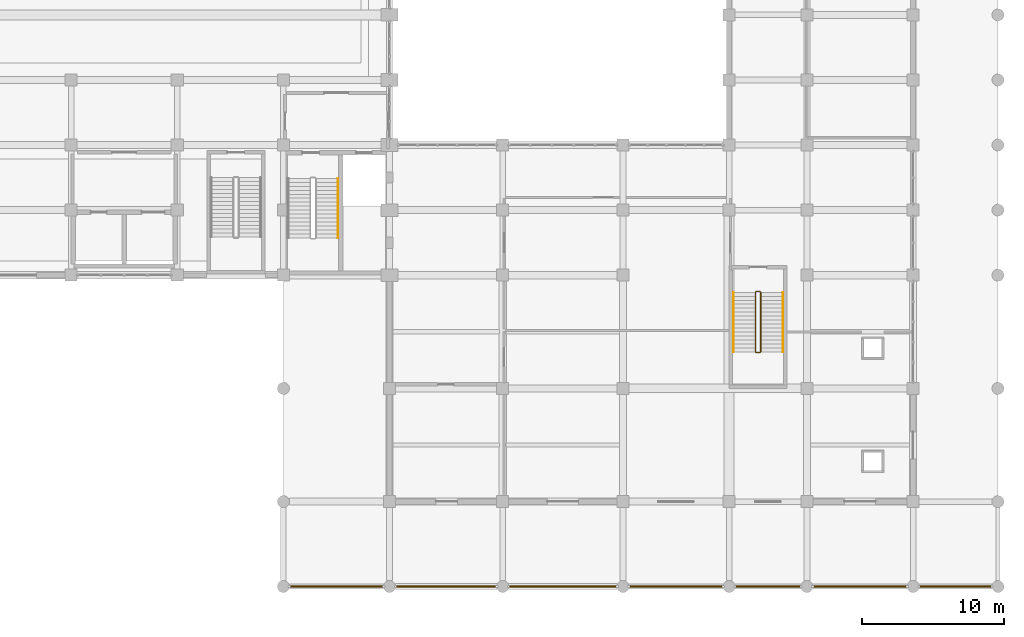
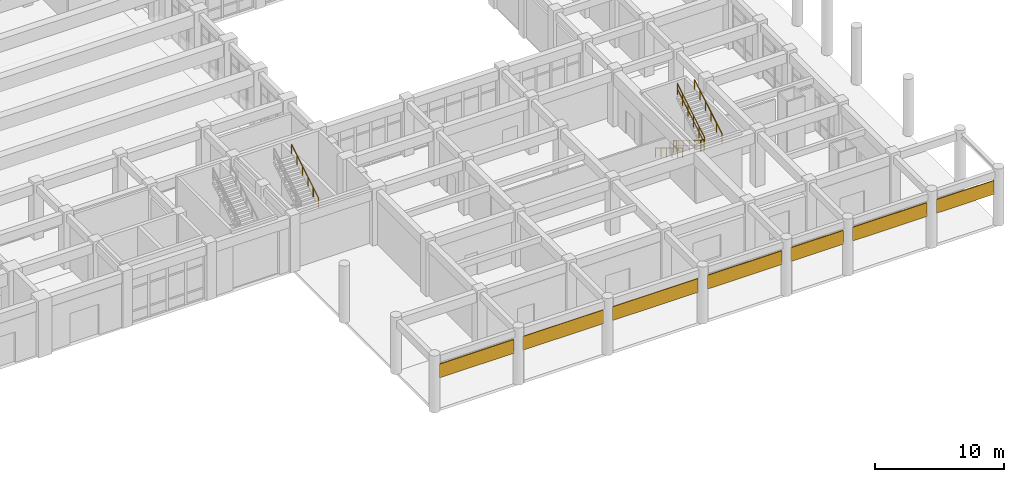
# One storey, part 82 of 84: 7 railings, 7 shading devices.
"""IFC4 building model written with IfcOpenShell, lengths in metres."""

from ifc_helpers import new_model, si_unit, direction, frame, origin, origin_2d, place, context, subcontext, project, spatial, rectangle, circle, extrude, material, layer, layer_set, type_object, element, save


model = new_model("IFC4")

# Units and contexts
model_context = context("Model", 3, precision=1e-05, world=origin(), true_north=direction((0.0, 1.0)))
body_context = subcontext(model_context, "Body", "Model", "MODEL_VIEW")
ifc_project = project(units=[si_unit("LENGTHUNIT", "METRE"), si_unit("AREAUNIT", "SQUARE_METRE"), si_unit("VOLUMEUNIT", "CUBIC_METRE"), si_unit("PLANEANGLEUNIT", "RADIAN"), si_unit("MASSUNIT", "GRAM", prefix="KILO")], contexts=[model_context])

# Site, building, storey
site_placement = place(None, origin())
site = spatial("IfcSite", under=ifc_project, at=site_placement, CompositionType="ELEMENT")
building_placement = place(site_placement, origin())
building = spatial("IfcBuilding", under=site, at=building_placement, Name="Muzn Square Opera House", CompositionType="ELEMENT")
storey_placement = place(building_placement, origin())
storey = spatial("IfcBuildingStorey", under=building, at=storey_placement, Name="L00", CompositionType="ELEMENT", Elevation=0.0)

# Shading devices
ifc_material_1 = material(Name="Architectural bronze mashrabiya", Category="metal")
ifc_layer = layer(ifc_material_1, 0.080078125, Name="Architectural bronze mashrabiya", Category="metal")
ifc_layer_set = layer_set([ifc_layer], Name="Architectural bronze mashrabiya")
shading_device_type = type_object("IfcShadingDeviceType", Name="Bronze Botanical Mashrabiya Screen", PredefinedType="JALOUSIE", material=ifc_layer_set)
shading_device_1_placement = place(storey_placement, frame((129.25, 0.0, 2.89990234375), z_axis=(0.0, 0.0, 1.0), x_axis=(1.0, 0.0, 0.0)))
element("IfcShadingDevice", 1, at=shading_device_1_placement, inside=storey, type_object=shading_device_type, Name="Bronze Botanical Mashrabiya Solar Screen SHD-L00-S08", PredefinedType="JALOUSIE", context=body_context, shape_type="SweptSolid", body=[
    extrude(rectangle(XDim=6.669921875, YDim=0.080078125, at=origin_2d()), origin(), (0.0, 0.0, 1.0), 1.300048828125),
])
shading_device_2_placement = place(storey_placement, frame((137.0, 0.0, 2.89990234375), z_axis=(0.0, 0.0, 1.0), x_axis=(1.0, 0.0, 0.0)))
element("IfcShadingDevice", 2, at=shading_device_2_placement, inside=storey, type_object=shading_device_type, Name="Bronze Botanical Mashrabiya Solar Screen SHD-L00-S09", PredefinedType="JALOUSIE", context=body_context, shape_type="SweptSolid", body=[
    extrude(rectangle(XDim=7.169921875, YDim=0.080078125, at=origin_2d()), origin(), (0.0, 0.0, 1.0), 1.300048828125),
])
shading_device_3_placement = place(storey_placement, frame((145.25, 0.0, 2.89990234375), z_axis=(0.0, 0.0, 1.0), x_axis=(1.0, 0.0, 0.0)))
element("IfcShadingDevice", 3, at=shading_device_3_placement, inside=storey, type_object=shading_device_type, Name="Bronze Botanical Mashrabiya Solar Screen SHD-L00-S10", PredefinedType="JALOUSIE", context=body_context, shape_type="SweptSolid", body=[
    extrude(rectangle(XDim=7.669921875, YDim=0.080078125, at=origin_2d()), origin(), (0.0, 0.0, 1.0), 1.300048828125),
])
shading_device_4_placement = place(storey_placement, frame((153.25, 0.0, 2.89990234375), z_axis=(0.0, 0.0, 1.0), x_axis=(1.0, 0.0, 0.0)))
element("IfcShadingDevice", 4, at=shading_device_4_placement, inside=storey, type_object=shading_device_type, Name="Bronze Botanical Mashrabiya Solar Screen SHD-L00-S11", PredefinedType="JALOUSIE", context=body_context, shape_type="SweptSolid", body=[
    extrude(rectangle(XDim=6.669921875, YDim=0.080078125, at=origin_2d()), origin(), (0.0, 0.0, 1.0), 1.300048828125),
])
shading_device_5_placement = place(storey_placement, frame((159.75, 0.0, 2.89990234375), z_axis=(0.0, 0.0, 1.0), x_axis=(1.0, 0.0, 0.0)))
element("IfcShadingDevice", 5, at=shading_device_5_placement, inside=storey, type_object=shading_device_type, Name="Bronze Botanical Mashrabiya Solar Screen SHD-L00-S12", PredefinedType="JALOUSIE", context=body_context, shape_type="SweptSolid", body=[
    extrude(rectangle(XDim=4.669921875, YDim=0.080078125, at=origin_2d()), origin(), (0.0, 0.0, 1.0), 1.300048828125),
])
shading_device_6_placement = place(storey_placement, frame((166.25, 0.0, 2.89990234375), z_axis=(0.0, 0.0, 1.0), x_axis=(1.0, 0.0, 0.0)))
element("IfcShadingDevice", 6, at=shading_device_6_placement, inside=storey, type_object=shading_device_type, Name="Bronze Botanical Mashrabiya Solar Screen SHD-L00-S13", PredefinedType="JALOUSIE", context=body_context, shape_type="SweptSolid", body=[
    extrude(rectangle(XDim=6.669921875, YDim=0.080078125, at=origin_2d()), origin(), (0.0, 0.0, 1.0), 1.300048828125),
])
shading_device_7_placement = place(storey_placement, frame((173.0, 0.0, 2.89990234375), z_axis=(0.0, 0.0, 1.0), x_axis=(1.0, 0.0, 0.0)))
element("IfcShadingDevice", 7, at=shading_device_7_placement, inside=storey, type_object=shading_device_type, Name="Bronze Botanical Mashrabiya Solar Screen SHD-L00-S14", PredefinedType="JALOUSIE", context=body_context, shape_type="SweptSolid", body=[
    extrude(rectangle(XDim=5.169921875, YDim=0.080078125, at=origin_2d()), origin(), (0.0, 0.0, 1.0), 1.300048828125),
])

# Railings
ifc_material_2 = material(Name="Brushed stainless steel", Category="metal")
railing_type_1 = type_object("IfcRailingType", Name="Stair Guard Railing 1120mm", PredefinedType="GUARDRAIL", material=ifc_material_2)
railing_1_placement = place(storey_placement, frame((158.860107421875, 20.7900390625, 0.168701171875)))
element("IfcRailing", 8, at=railing_1_placement, inside=storey, type_object=railing_type_1, Name="L00 ST-8 stair guard 1", PredefinedType="GUARDRAIL", context=body_context, shape_type="SweptSolid", body=[
    extrude(circle(Radius=0.02392578125, at=origin_2d()), frame((0.0, 0.0, 1.076171875), z_axis=(0.0, -0.856476492594, 0.516186030065), x_axis=(1.0, 0.0, 0.0)), (0.0, 0.0, 1.0), 4.90380859375),
    extrude(circle(Radius=0.02392578125, at=origin_2d()), frame((0.0, 0.0, 0.550048828125), z_axis=(0.0, -0.856476492594, 0.516186030065), x_axis=(1.0, 0.0, 0.0)), (0.0, 0.0, 1.0), 4.90380859375),
    extrude(circle(Radius=0.02099609375, at=origin_2d()), origin(), (0.0, 0.0, 1.0), 1.052001953125),
    extrude(circle(Radius=0.02099609375, at=origin_2d()), frame((0.0, -0.840087890625, 0.50634765625)), (0.0, 0.0, 1.0), 1.052001953125),
    extrude(circle(Radius=0.02099609375, at=origin_2d()), frame((0.0, -1.679931640625, 1.012451171875)), (0.0, 0.0, 1.0), 1.052001953125),
    extrude(circle(Radius=0.02099609375, at=origin_2d()), frame((0.0, -2.52001953125, 1.518798828125)), (0.0, 0.0, 1.0), 1.052001953125),
    extrude(circle(Radius=0.02099609375, at=origin_2d()), frame((0.0, -3.35986328125, 2.02490234375)), (0.0, 0.0, 1.0), 1.052001953125),
    extrude(circle(Radius=0.02099609375, at=origin_2d()), frame((0.0, -4.199951171875, 2.53125)), (0.0, 0.0, 1.0), 1.052001953125),
])
railing_2_placement = place(storey_placement, frame((158.909912109375, 16.5400390625, 2.699951171875)))
element("IfcRailing", 9, at=railing_2_placement, inside=storey, type_object=railing_type_1, Name="L00 ST-8 stair guard 2", PredefinedType="GUARDRAIL", context=body_context, shape_type="SweptSolid", body=[
    extrude(circle(Radius=0.02392578125, at=origin_2d()), frame((0.0, 0.0, 1.076171875), z_axis=(1.0, 0.0, 0.0), x_axis=(0.0, 1.0, 0.0)), (0.0, 0.0, 1.0), 0.280029296875),
    extrude(circle(Radius=0.02392578125, at=origin_2d()), frame((0.0, 0.0, 0.550048828125), z_axis=(1.0, 0.0, 0.0), x_axis=(0.0, 1.0, 0.0)), (0.0, 0.0, 1.0), 0.280029296875),
    extrude(circle(Radius=0.02099609375, at=origin_2d()), origin(), (0.0, 0.0, 1.0), 1.052001953125),
    extrude(circle(Radius=0.02099609375, at=origin_2d()), frame((0.280029296875, 0.0, 0.0)), (0.0, 0.0, 1.0), 1.052001953125),
])
railing_3_placement = place(storey_placement, frame((159.239990234375, 16.590087890625, 2.86865234375)))
element("IfcRailing", 10, at=railing_3_placement, inside=storey, type_object=railing_type_1, Name="L00 ST-8 stair guard 3", PredefinedType="GUARDRAIL", context=body_context, shape_type="SweptSolid", body=[
    extrude(circle(Radius=0.02392578125, at=origin_2d()), frame((0.0, 0.0, 1.076171875), z_axis=(0.0, 0.856476492594, 0.516186030065), x_axis=(-1.0, 0.0, 0.0)), (0.0, 0.0, 1.0), 4.90380859375),
    extrude(circle(Radius=0.02392578125, at=origin_2d()), frame((0.0, 0.0, 0.550048828125), z_axis=(0.0, 0.856476492594, 0.516186030065), x_axis=(-1.0, 0.0, 0.0)), (0.0, 0.0, 1.0), 4.90380859375),
    extrude(circle(Radius=0.02099609375, at=origin_2d()), origin(), (0.0, 0.0, 1.0), 1.052001953125),
    extrude(circle(Radius=0.02099609375, at=origin_2d()), frame((0.0, 0.840087890625, 0.50634765625)), (0.0, 0.0, 1.0), 1.052001953125),
    extrude(circle(Radius=0.02099609375, at=origin_2d()), frame((0.0, 1.679931640625, 1.012451171875)), (0.0, 0.0, 1.0), 1.052001953125),
    extrude(circle(Radius=0.02099609375, at=origin_2d()), frame((0.0, 2.52001953125, 1.518798828125)), (0.0, 0.0, 1.0), 1.052001953125),
    extrude(circle(Radius=0.02099609375, at=origin_2d()), frame((0.0, 3.35986328125, 2.02490234375)), (0.0, 0.0, 1.0), 1.052001953125),
    extrude(circle(Radius=0.02099609375, at=origin_2d()), frame((0.0, 4.199951171875, 2.53125)), (0.0, 0.0, 1.0), 1.052001953125),
])
railing_4_placement = place(storey_placement, frame((158.909912109375, 20.840087890625, 0.0)))
element("IfcRailing", 11, at=railing_4_placement, inside=storey, type_object=railing_type_1, Name="L00 ST-8 stair guard 4", PredefinedType="GUARDRAIL", context=body_context, shape_type="SweptSolid", body=[
    extrude(circle(Radius=0.02392578125, at=origin_2d()), frame((0.0, 0.0, 1.076171875), z_axis=(1.0, 0.0, 0.0), x_axis=(0.0, 1.0, 0.0)), (0.0, 0.0, 1.0), 0.280029296875),
    extrude(circle(Radius=0.02392578125, at=origin_2d()), frame((0.0, 0.0, 0.550048828125), z_axis=(1.0, 0.0, 0.0), x_axis=(0.0, 1.0, 0.0)), (0.0, 0.0, 1.0), 0.280029296875),
    extrude(circle(Radius=0.02099609375, at=origin_2d()), origin(), (0.0, 0.0, 1.0), 1.052001953125),
    extrude(circle(Radius=0.02099609375, at=origin_2d()), frame((0.280029296875, 0.0, 0.0)), (0.0, 0.0, 1.0), 1.052001953125),
])
railing_type_2 = type_object("IfcRailingType", Name="Stair Pitch Handrail 900mm", PredefinedType="HANDRAIL", material=ifc_material_2)
railing_5_placement = place(storey_placement, frame((129.35009765625, 24.639892578125, 2.86865234375)))
element("IfcRailing", 12, at=railing_5_placement, inside=storey, type_object=railing_type_2, Name="L00 ST-4 stair handrail 2", PredefinedType="HANDRAIL", context=body_context, shape_type="SweptSolid", body=[
    extrude(circle(Radius=0.02392578125, at=origin_2d()), frame((0.0, 0.0, 0.8759765625), z_axis=(0.0, 0.856489757249, 0.516164020179), x_axis=(-1.0, 0.0, 0.0)), (0.0, 0.0, 1.0), 4.904052734375),
    extrude(circle(Radius=0.02099609375, at=origin_2d()), origin(), (0.0, 0.0, 1.0), 0.851806640625),
    extrude(circle(Radius=0.02099609375, at=origin_2d()), frame((0.0, 0.840087890625, 0.50634765625)), (0.0, 0.0, 1.0), 0.851806640625),
    extrude(circle(Radius=0.02099609375, at=origin_2d()), frame((0.0, 1.68017578125, 1.012451171875)), (0.0, 0.0, 1.0), 0.851806640625),
    extrude(circle(Radius=0.02099609375, at=origin_2d()), frame((0.0, 2.52001953125, 1.518798828125)), (0.0, 0.0, 1.0), 0.851806640625),
    extrude(circle(Radius=0.02099609375, at=origin_2d()), frame((0.0, 3.360107421875, 2.02490234375)), (0.0, 0.0, 1.0), 0.851806640625),
    extrude(circle(Radius=0.02099609375, at=origin_2d()), frame((0.0, 4.2001953125, 2.53125)), (0.0, 0.0, 1.0), 0.851806640625),
])
railing_6_placement = place(storey_placement, frame((157.300048828125, 20.7900390625, 0.168701171875)))
element("IfcRailing", 13, at=railing_6_placement, inside=storey, type_object=railing_type_2, Name="L00 ST-8 stair handrail 1", PredefinedType="HANDRAIL", context=body_context, shape_type="SweptSolid", body=[
    extrude(circle(Radius=0.02392578125, at=origin_2d()), frame((0.0, 0.0, 0.8759765625), z_axis=(0.0, -0.856476492594, 0.516186030065), x_axis=(1.0, 0.0, 0.0)), (0.0, 0.0, 1.0), 4.90380859375),
    extrude(circle(Radius=0.02099609375, at=origin_2d()), origin(), (0.0, 0.0, 1.0), 0.851806640625),
    extrude(circle(Radius=0.02099609375, at=origin_2d()), frame((0.0, -0.840087890625, 0.50634765625)), (0.0, 0.0, 1.0), 0.851806640625),
    extrude(circle(Radius=0.02099609375, at=origin_2d()), frame((0.0, -1.679931640625, 1.012451171875)), (0.0, 0.0, 1.0), 0.851806640625),
    extrude(circle(Radius=0.02099609375, at=origin_2d()), frame((0.0, -2.52001953125, 1.518798828125)), (0.0, 0.0, 1.0), 0.851806640625),
    extrude(circle(Radius=0.02099609375, at=origin_2d()), frame((0.0, -3.35986328125, 2.02490234375)), (0.0, 0.0, 1.0), 0.851806640625),
    extrude(circle(Radius=0.02099609375, at=origin_2d()), frame((0.0, -4.199951171875, 2.53125)), (0.0, 0.0, 1.0), 0.851806640625),
])
railing_7_placement = place(storey_placement, frame((160.800048828125, 16.590087890625, 2.86865234375)))
element("IfcRailing", 14, at=railing_7_placement, inside=storey, type_object=railing_type_2, Name="L00 ST-8 stair handrail 2", PredefinedType="HANDRAIL", context=body_context, shape_type="SweptSolid", body=[
    extrude(circle(Radius=0.02392578125, at=origin_2d()), frame((0.0, 0.0, 0.8759765625), z_axis=(0.0, 0.856476492594, 0.516186030065), x_axis=(-1.0, 0.0, 0.0)), (0.0, 0.0, 1.0), 4.90380859375),
    extrude(circle(Radius=0.02099609375, at=origin_2d()), origin(), (0.0, 0.0, 1.0), 0.851806640625),
    extrude(circle(Radius=0.02099609375, at=origin_2d()), frame((0.0, 0.840087890625, 0.50634765625)), (0.0, 0.0, 1.0), 0.851806640625),
    extrude(circle(Radius=0.02099609375, at=origin_2d()), frame((0.0, 1.679931640625, 1.012451171875)), (0.0, 0.0, 1.0), 0.851806640625),
    extrude(circle(Radius=0.02099609375, at=origin_2d()), frame((0.0, 2.52001953125, 1.518798828125)), (0.0, 0.0, 1.0), 0.851806640625),
    extrude(circle(Radius=0.02099609375, at=origin_2d()), frame((0.0, 3.35986328125, 2.02490234375)), (0.0, 0.0, 1.0), 0.851806640625),
    extrude(circle(Radius=0.02099609375, at=origin_2d()), frame((0.0, 4.199951171875, 2.53125)), (0.0, 0.0, 1.0), 0.851806640625),
])

save(model, "model.ifc")
